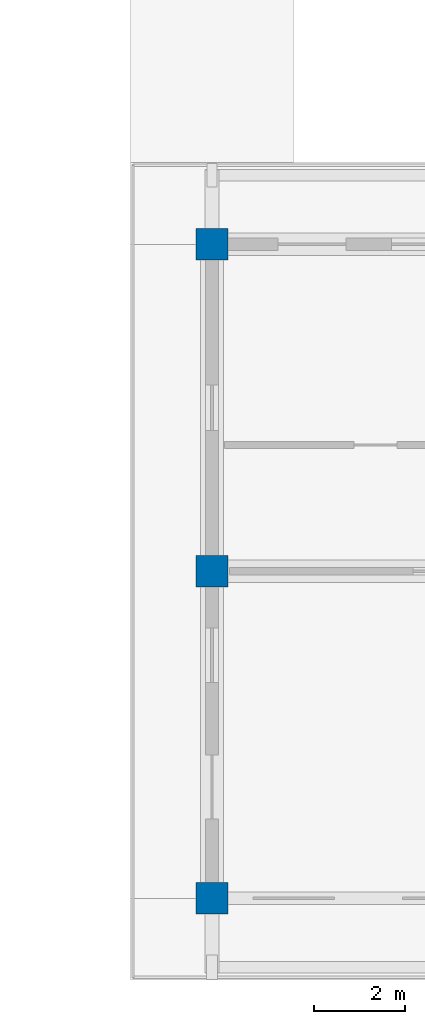
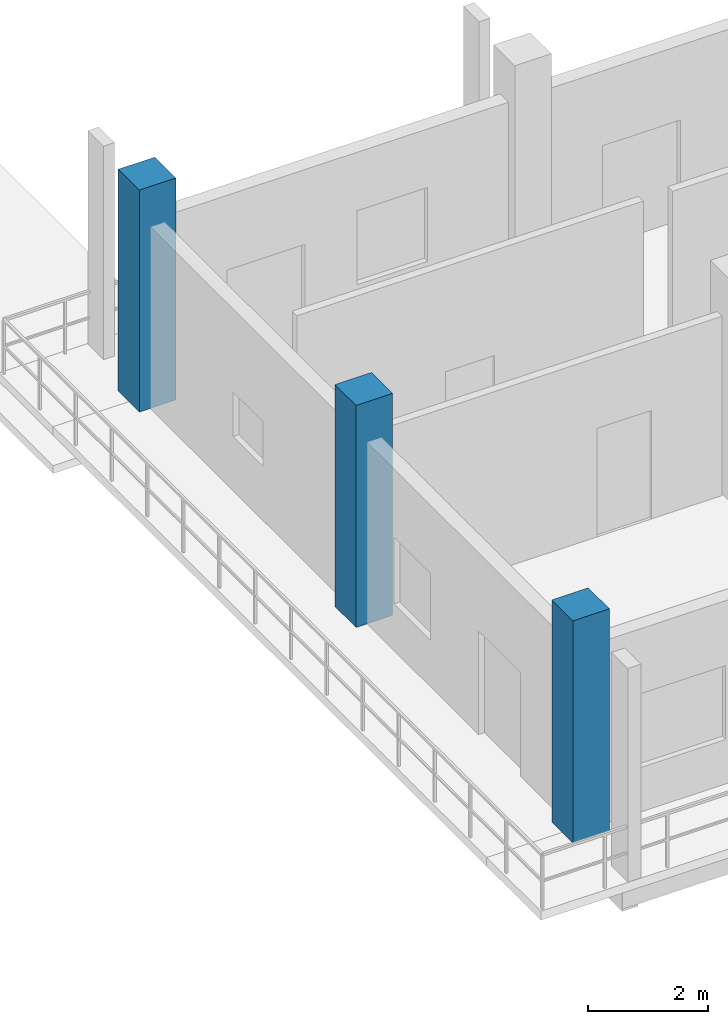
# One storey, part 3 of 110: 3 columns.
"""IFC4 building model written with IfcOpenShell, lengths in metres."""

from ifc_helpers import new_model, si_unit, direction, frame, origin, origin_2d, place, context, subcontext, project, spatial, rectangle, extrude, material, material_profile, profile_set, type_object, element, save


model = new_model("IFC4")

# Units and contexts
model_context = context("Model", 3, precision=1e-05, world=origin(), true_north=direction((0.0, 1.0)))
body_context = subcontext(model_context, "Body", "Model", "MODEL_VIEW")
ifc_project = project(units=[si_unit("LENGTHUNIT", "METRE"), si_unit("AREAUNIT", "SQUARE_METRE"), si_unit("VOLUMEUNIT", "CUBIC_METRE"), si_unit("PLANEANGLEUNIT", "RADIAN"), si_unit("MASSUNIT", "GRAM", prefix="KILO")], contexts=[model_context])

# Site, building, storey
site_placement = place(None, origin())
site = spatial("IfcSite", under=ifc_project, at=site_placement, CompositionType="ELEMENT")
building_placement = place(site_placement, origin())
building = spatial("IfcBuilding", under=site, at=building_placement, Name="Suanplinth Sawtooth Commons", CompositionType="ELEMENT")
storey_placement = place(building_placement, frame((0.0, 0.0, 4.5)))
storey = spatial("IfcBuildingStorey", under=building, at=storey_placement, Name="L01", CompositionType="ELEMENT", Elevation=4.5)

# Columns
ifc_material = material(Name="Concrete C40/50", Category="concrete")
ifc_material_profile = material_profile(ifc_material, rectangle(XDim=0.699951171875, YDim=0.699951171875, at=origin_2d()), Name="RC-COL 700x700")
ifc_profile_set = profile_set([ifc_material_profile], Name="Concrete C40/50")
column_type = type_object("IfcColumnType", Name="C-02", PredefinedType="COLUMN", material=ifc_profile_set)
for number, where, z_axis, x_axis, name in (
    (1, (122.39990234375, 0.0, 0.0), (0.0, 0.0, 1.0), (1.0, 0.0, 0.0), "Column L01 18/A"),
    (2, (122.39990234375, 7.199951171875, 0.0), (0.0, 0.0, 1.0), (1.0, 0.0, 0.0), "Column L01 18/B"),
    (3, (122.39990234375, 14.39990234375, 0.0), (0.0, 0.0, 1.0), (1.0, 0.0, 0.0), "Column L01 18/C"),
):
    element("IfcColumn", number, at=place(storey_placement, frame(where, z_axis=z_axis, x_axis=x_axis)), inside=storey, type_object=column_type, Name=name, PredefinedType="COLUMN", context=body_context, shape_type="SweptSolid", body=[
        extrude(rectangle(XDim=0.699951171875, YDim=0.699951171875, at=origin_2d()), origin(), (0.0, 0.0, 1.0), 4.5),
    ])

save(model, "model.ifc")
